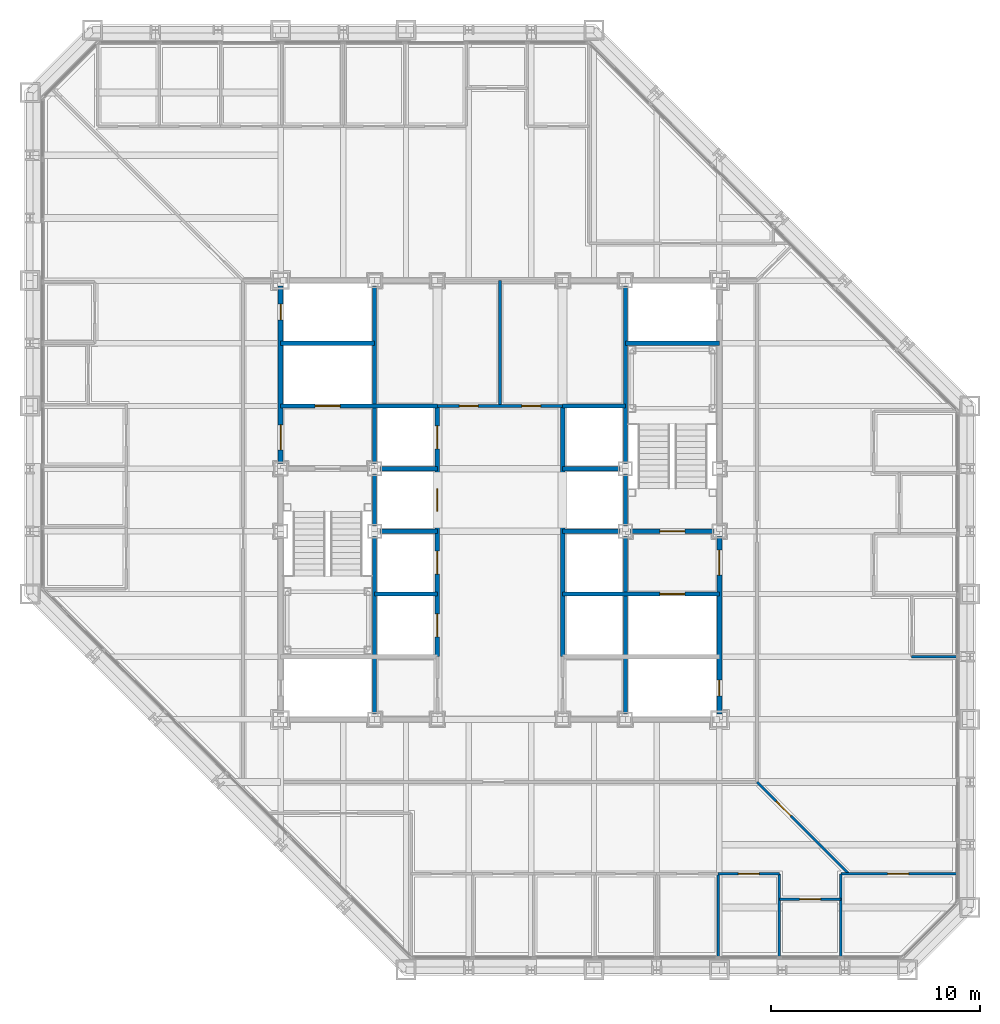
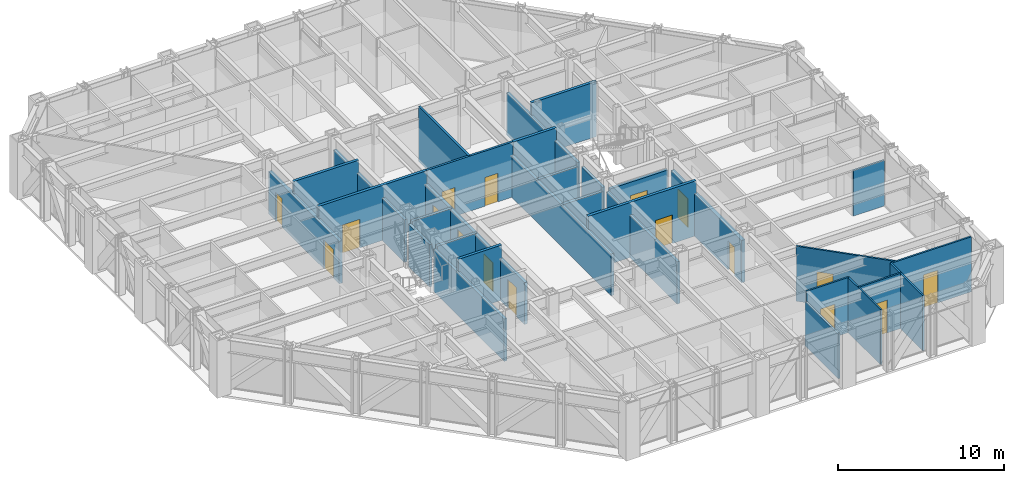
# One storey, part 11 of 17: 31 walls, 17 doors, 17 openings.
"""IFC4 building model written with IfcOpenShell, lengths in metres."""

from ifc_helpers import new_model, si_unit, direction, frame, frame_2d, origin, place, context, subcontext, project, spatial, rectangle, extrude, material, layer, layer_set, type_object, element, fill, save


model = new_model("IFC4")

# Units and contexts
model_context = context("Model", 3, precision=1e-05, world=origin(), true_north=direction((0.0, 1.0)))
body_context = subcontext(model_context, "Body", "Model", "MODEL_VIEW")
ifc_project = project(units=[si_unit("LENGTHUNIT", "METRE"), si_unit("AREAUNIT", "SQUARE_METRE"), si_unit("VOLUMEUNIT", "CUBIC_METRE"), si_unit("PLANEANGLEUNIT", "RADIAN"), si_unit("MASSUNIT", "GRAM", prefix="KILO")], contexts=[model_context])

# Site, building, storey
site_placement = place(None, origin())
site = spatial("IfcSite", under=ifc_project, at=site_placement, CompositionType="ELEMENT")
building_placement = place(site_placement, origin())
building = spatial("IfcBuilding", under=site, at=building_placement, Name="Chuquiago Exchange Tower", CompositionType="ELEMENT")
storey_placement = place(building_placement, frame((0.0, 0.0, 136.199951171875)))
storey = spatial("IfcBuildingStorey", under=building, at=storey_placement, Name="L29", CompositionType="ELEMENT", Elevation=136.199951171875)

# Wall, openings, doors
ifc_material_1 = material(Name="Concrete masonry, fully grouted", Category="masonry")
ifc_layer_1 = layer(ifc_material_1, 0.25)
ifc_layer_set_1 = layer_set([ifc_layer_1], Name="W1 core wall 250")
wall_type_1 = type_object("IfcWallType", Name="W1 core wall 250", PredefinedType="SOLIDWALL", material=ifc_layer_set_1)
wall_1_placement = place(storey_placement, frame((12.0, 24.25, 0.0), z_axis=(0.0, 0.0, 1.0), x_axis=(0.0, 1.0, 0.0)))
wall_1 = element("IfcWall", 1, at=wall_1_placement, inside=storey, type_object=wall_type_1, Name="CW-L29-00-2", PredefinedType="SOLIDWALL", context=body_context, shape_type="SweptSolid", body=[
    extrude(rectangle(XDim=8.5, YDim=0.25, at=frame_2d((4.25, 0.0))), origin(), (0.0, 0.0, 1.0), 3.113037109375),
])
opening_1_placement = place(wall_1_placement, frame((0.64990234375, 0.0, 0.0)))
opening_1 = element("IfcOpeningElement", 2, at=opening_1_placement, cuts=wall_1, Name="Opening L29-002", PredefinedType="OPENING", context=body_context, shape_type="SweptSolid", body=[
    extrude(rectangle(XDim=1.199951171875, YDim=2.10009765625, at=frame_2d((0.60009765625, 1.050048828125))), frame((0.0, 0.135009765625, 0.0), z_axis=(0.0, -1.0, 0.0), x_axis=(1.0, 0.0, 0.0)), (0.0, 0.0, 1.0), 0.27001953125),
])
opening_2_placement = place(wall_1_placement, frame((6.875, 0.0, 0.0)))
opening_2 = element("IfcOpeningElement", 3, at=opening_2_placement, cuts=wall_1, Name="Opening L29-008", PredefinedType="OPENING", context=body_context, shape_type="SweptSolid", body=[
    extrude(rectangle(XDim=0.75, YDim=2.10009765625, at=frame_2d((0.375, 1.050048828125))), frame((0.0, 0.135009765625, 0.0), z_axis=(0.0, -1.0, 0.0), x_axis=(1.0, 0.0, 0.0)), (0.0, 0.0, 1.0), 0.27001953125),
])
ifc_material_2 = material(Name="Steel door, painted", Category="steel")
door_type_1 = type_object("IfcDoorType", Name="D5 firefighting lobby door 1200x2100", OperationType="SINGLE_SWING_LEFT", PredefinedType="DOOR", material=ifc_material_2)
door_1_placement = place(opening_1_placement, frame((1.199951171875, 0.0, 0.0), z_axis=(0.0, 0.0, 1.0), x_axis=(-1.0, 0.0, 0.0)))
door_1 = element("IfcDoor", 4, at=door_1_placement, inside=storey, type_object=door_type_1, Name="Firefighting lobby 1 door", OperationType="SINGLE_SWING_RIGHT", OverallHeight=2.10009765625, OverallWidth=1.199951171875, PredefinedType="DOOR", context=body_context, shape_type="SweptSolid", body=[
    extrude(rectangle(XDim=1.199951171875, YDim=2.10009765625, at=frame_2d((0.60009765625, 1.050048828125))), frame((0.0, 0.02490234375, 0.0), z_axis=(0.0, -1.0, 0.0), x_axis=(1.0, 0.0, 0.0)), (0.0, 0.0, 1.0), 0.050048828125),
])
fill(opening_1, door_1)
ifc_material_3 = material(Name="Steel door, painted", Category="steel")
door_type_2 = type_object("IfcDoorType", Name="D6 riser access door 750x2100", OperationType="SINGLE_SWING_LEFT", PredefinedType="DOOR", material=ifc_material_3)
door_2_placement = place(opening_2_placement, frame((0.75, 0.0, 0.0), z_axis=(0.0, 0.0, 1.0), x_axis=(-1.0, 0.0, 0.0)))
door_2 = element("IfcDoor", 5, at=door_2_placement, inside=storey, type_object=door_type_2, Name="Riser RW2 door", OperationType="SINGLE_SWING_LEFT", OverallHeight=2.10009765625, OverallWidth=0.75, PredefinedType="DOOR", context=body_context, shape_type="SweptSolid", body=[
    extrude(rectangle(XDim=0.75, YDim=2.10009765625, at=frame_2d((0.375, 1.050048828125))), frame((0.0, 0.02490234375, 0.0), z_axis=(0.0, -1.0, 0.0), x_axis=(1.0, 0.0, 0.0)), (0.0, 0.0, 1.0), 0.050048828125),
])
fill(opening_2, door_2)

wall_2_placement = place(storey_placement, frame((33.0, 12.25, 0.0), z_axis=(0.0, 0.0, 1.0), x_axis=(0.0, 1.0, 0.0)))
wall_2 = element("IfcWall", 6, at=wall_2_placement, inside=storey, type_object=wall_type_1, Name="CW-L29-25-0", PredefinedType="SOLIDWALL", context=body_context, shape_type="SweptSolid", body=[
    extrude(rectangle(XDim=8.5, YDim=0.25, at=frame_2d((4.25, 0.0))), origin(), (0.0, 0.0, 1.0), 3.113037109375),
])
opening_3_placement = place(wall_2_placement, frame((6.64990234375, 0.0, 0.0)))
opening_3 = element("IfcOpeningElement", 7, at=opening_3_placement, cuts=wall_2, Name="Opening L29-004", PredefinedType="OPENING", context=body_context, shape_type="SweptSolid", body=[
    extrude(rectangle(XDim=1.199951171875, YDim=2.10009765625, at=frame_2d((0.60009765625, 1.050048828125))), frame((0.0, 0.135009765625, 0.0), z_axis=(0.0, -1.0, 0.0), x_axis=(1.0, 0.0, 0.0)), (0.0, 0.0, 1.0), 0.27001953125),
])
opening_4_placement = place(wall_2_placement, frame((0.875, 0.0, 0.0)))
opening_4 = element("IfcOpeningElement", 8, at=opening_4_placement, cuts=wall_2, Name="Opening L29-009", PredefinedType="OPENING", context=body_context, shape_type="SweptSolid", body=[
    extrude(rectangle(XDim=0.75, YDim=2.10009765625, at=frame_2d((0.375, 1.050048828125))), frame((0.0, 0.135009765625, 0.0), z_axis=(0.0, -1.0, 0.0), x_axis=(1.0, 0.0, 0.0)), (0.0, 0.0, 1.0), 0.27001953125),
])
door_3_placement = place(opening_3_placement, origin())
door_3 = element("IfcDoor", 9, at=door_3_placement, inside=storey, type_object=door_type_1, Name="Firefighting lobby 2 door", OperationType="SINGLE_SWING_RIGHT", OverallHeight=2.10009765625, OverallWidth=1.199951171875, PredefinedType="DOOR", context=body_context, shape_type="SweptSolid", body=[
    extrude(rectangle(XDim=1.199951171875, YDim=2.10009765625, at=frame_2d((0.60009765625, 1.050048828125))), frame((0.0, 0.02490234375, 0.0), z_axis=(0.0, -1.0, 0.0), x_axis=(1.0, 0.0, 0.0)), (0.0, 0.0, 1.0), 0.050048828125),
])
fill(opening_3, door_3)
door_4_placement = place(opening_4_placement, origin())
door_4 = element("IfcDoor", 10, at=door_4_placement, inside=storey, type_object=door_type_2, Name="Riser RE1 door", OperationType="SINGLE_SWING_LEFT", OverallHeight=2.10009765625, OverallWidth=0.75, PredefinedType="DOOR", context=body_context, shape_type="SweptSolid", body=[
    extrude(rectangle(XDim=0.75, YDim=2.10009765625, at=frame_2d((0.375, 1.050048828125))), frame((0.0, 0.02490234375, 0.0), z_axis=(0.0, -1.0, 0.0), x_axis=(1.0, 0.0, 0.0)), (0.0, 0.0, 1.0), 0.050048828125),
])
fill(opening_4, door_4)

# Walls
ifc_material_4 = material(Name="Concrete masonry, fully grouted", Category="masonry")
ifc_layer_2 = layer(ifc_material_4, 0.199951171875)
ifc_layer_set_2 = layer_set([ifc_layer_2], Name="W2 shaft wall 200")
wall_type_2 = type_object("IfcWallType", Name="W2 shaft wall 200", PredefinedType="SOLIDWALL", material=ifc_layer_set_2)
for number, where, z_axis, x_axis, name in (
    (11, (16.75, 24.0, 0.0), (0.0, 0.0, 1.0), (1.0, 0.0, 0.0), "CW-L29-05-1"),
    (12, (25.5, 24.0, 0.0), (0.0, 0.0, 1.0), (1.0, 0.0, 0.0), "CW-L29-06-0"),
):
    element("IfcWall", number, at=place(storey_placement, frame(where, z_axis=z_axis, x_axis=x_axis)), inside=storey, type_object=wall_type_2, Name=name, PredefinedType="SOLIDWALL", context=body_context, shape_type="SweptSolid", body=[
        extrude(rectangle(XDim=2.75, YDim=0.199951171875, at=frame_2d((1.375, 0.0))), origin(), (0.0, 0.0, 1.0), 3.090087890625),
    ])

# Wall, opening, door
wall_3_placement = place(storey_placement, frame((12.0, 27.0, 0.0), z_axis=(0.0, 0.0, 1.0), x_axis=(1.0, 0.0, 0.0)))
wall_3 = element("IfcWall", 13, at=wall_3_placement, inside=storey, type_object=wall_type_2, Name="CW-L29-07-0", PredefinedType="SOLIDWALL", context=body_context, shape_type="SweptSolid", body=[
    extrude(rectangle(XDim=7.5, YDim=0.199951171875, at=frame_2d((3.75, 0.0))), origin(), (0.0, 0.0, 1.0), 4.0400390625),
])
opening_5_placement = place(wall_3_placement, frame((1.64990234375, 0.0, 0.0)))
opening_5 = element("IfcOpeningElement", 14, at=opening_5_placement, cuts=wall_3, Name="Opening L29-005", PredefinedType="OPENING", context=body_context, shape_type="SweptSolid", body=[
    extrude(rectangle(XDim=1.199951171875, YDim=2.10009765625, at=frame_2d((0.60009765625, 1.050048828125))), frame((0.0, 0.10986328125, 0.0), z_axis=(0.0, -1.0, 0.0), x_axis=(1.0, 0.0, 0.0)), (0.0, 0.0, 1.0), 0.219970703125),
])
ifc_material_5 = material(Name="Stainless steel lift landing door", Category="steel")
door_type_3 = type_object("IfcDoorType", Name="LD2 firefighting lift landing door 1200x2100", OperationType="DOUBLE_DOOR_SLIDING", PredefinedType="DOOR", material=ifc_material_5)
door_5_placement = place(opening_5_placement, origin())
door_5 = element("IfcDoor", 15, at=door_5_placement, inside=storey, type_object=door_type_3, Name="Firefighting lift FL1 landing door", OperationType="DOUBLE_DOOR_SLIDING", OverallHeight=2.10009765625, OverallWidth=1.199951171875, PredefinedType="DOOR", context=body_context, shape_type="SweptSolid", body=[
    extrude(rectangle(XDim=1.199951171875, YDim=2.10009765625, at=frame_2d((0.60009765625, 1.050048828125))), frame((0.0, 0.02490234375, 0.0), z_axis=(0.0, -1.0, 0.0), x_axis=(1.0, 0.0, 0.0)), (0.0, 0.0, 1.0), 0.050048828125),
])
fill(opening_5, door_5)

# Walls
wall_4_placement = place(storey_placement, frame((25.5, 27.0, 0.0), z_axis=(0.0, 0.0, 1.0), x_axis=(1.0, 0.0, 0.0)))
element("IfcWall", 16, at=wall_4_placement, inside=storey, type_object=wall_type_2, Name="CW-L29-08-0", PredefinedType="SOLIDWALL", context=body_context, shape_type="SweptSolid", body=[
    extrude(rectangle(XDim=3.0, YDim=0.199951171875, at=frame_2d((1.5, 0.0))), origin(), (0.0, 0.0, 1.0), 4.0400390625),
])
for number, where, z_axis, x_axis, name in (
    (17, (12.0, 30.0, 0.0), (0.0, 0.0, 1.0), (1.0, 0.0, 0.0), "CW-L29-09-0"),
    (18, (28.5, 30.0, 0.0), (0.0, 0.0, 1.0), (1.0, 0.0, 0.0), "CW-L29-10-0"),
):
    element("IfcWall", number, at=place(storey_placement, frame(where, z_axis=z_axis, x_axis=x_axis)), inside=storey, type_object=wall_type_2, Name=name, PredefinedType="SOLIDWALL", context=body_context, shape_type="SweptSolid", body=[
        extrude(rectangle(XDim=4.5, YDim=0.199951171875, at=frame_2d((2.25, 0.0))), origin(), (0.0, 0.0, 1.0), 4.0400390625),
    ])
wall_5_placement = place(storey_placement, frame((16.5, 12.25, 0.0), z_axis=(0.0, 0.0, 1.0), x_axis=(0.0, 1.0, 0.0)))
element("IfcWall", 19, at=wall_5_placement, inside=storey, type_object=wall_type_2, Name="CW-L29-13-0", PredefinedType="SOLIDWALL", context=body_context, shape_type="SweptSolid", body=[
    extrude(rectangle(XDim=8.5, YDim=0.199951171875, at=frame_2d((4.25, 0.0))), origin(), (0.0, 0.0, 1.0), 3.113037109375),
])
wall_6_placement = place(storey_placement, frame((16.5, 21.25, 0.0), z_axis=(0.0, 0.0, 1.0), x_axis=(0.0, 1.0, 0.0)))
element("IfcWall", 20, at=wall_6_placement, inside=storey, type_object=wall_type_2, Name="CW-L29-13-1", PredefinedType="SOLIDWALL", context=body_context, shape_type="SweptSolid", body=[
    extrude(rectangle(XDim=2.5, YDim=0.199951171875, at=frame_2d((1.25, 0.0))), origin(), (0.0, 0.0, 1.0), 3.113037109375),
])
wall_7_placement = place(storey_placement, frame((16.5, 24.25, 0.0), z_axis=(0.0, 0.0, 1.0), x_axis=(0.0, 1.0, 0.0)))
element("IfcWall", 21, at=wall_7_placement, inside=storey, type_object=wall_type_2, Name="CW-L29-13-2", PredefinedType="SOLIDWALL", context=body_context, shape_type="SweptSolid", body=[
    extrude(rectangle(XDim=8.5, YDim=0.199951171875, at=frame_2d((4.25, 0.0))), origin(), (0.0, 0.0, 1.0), 3.113037109375),
])
wall_8_placement = place(storey_placement, frame((16.5, 18.0, 0.0), z_axis=(0.0, 0.0, 1.0), x_axis=(1.0, 0.0, 0.0)))
element("IfcWall", 22, at=wall_8_placement, inside=storey, type_object=wall_type_2, Name="CW-L29-14-0", PredefinedType="SOLIDWALL", context=body_context, shape_type="SweptSolid", body=[
    extrude(rectangle(XDim=3.0, YDim=0.199951171875, at=frame_2d((1.5, 0.0))), origin(), (0.0, 0.0, 1.0), 4.0400390625),
])

# Wall, opening, door
wall_9_placement = place(storey_placement, frame((25.5, 18.0, 0.0), z_axis=(0.0, 0.0, 1.0), x_axis=(1.0, 0.0, 0.0)))
wall_9 = element("IfcWall", 23, at=wall_9_placement, inside=storey, type_object=wall_type_2, Name="CW-L29-15-0", PredefinedType="SOLIDWALL", context=body_context, shape_type="SweptSolid", body=[
    extrude(rectangle(XDim=7.5, YDim=0.199951171875, at=frame_2d((3.75, 0.0))), origin(), (0.0, 0.0, 1.0), 4.0400390625),
])
opening_6_placement = place(wall_9_placement, frame((4.64990234375, 0.0, 0.0)))
opening_6 = element("IfcOpeningElement", 24, at=opening_6_placement, cuts=wall_9, Name="Opening L29-006", PredefinedType="OPENING", context=body_context, shape_type="SweptSolid", body=[
    extrude(rectangle(XDim=1.199951171875, YDim=2.10009765625, at=frame_2d((0.60009765625, 1.050048828125))), frame((0.0, 0.10986328125, 0.0), z_axis=(0.0, -1.0, 0.0), x_axis=(1.0, 0.0, 0.0)), (0.0, 0.0, 1.0), 0.219970703125),
])
door_6_placement = place(opening_6_placement, origin())
door_6 = element("IfcDoor", 25, at=door_6_placement, inside=storey, type_object=door_type_3, Name="Firefighting lift FL2 landing door", OperationType="DOUBLE_DOOR_SLIDING", OverallHeight=2.10009765625, OverallWidth=1.199951171875, PredefinedType="DOOR", context=body_context, shape_type="SweptSolid", body=[
    extrude(rectangle(XDim=1.199951171875, YDim=2.10009765625, at=frame_2d((0.60009765625, 1.050048828125))), frame((0.0, 0.02490234375, 0.0), z_axis=(0.0, -1.0, 0.0), x_axis=(1.0, 0.0, 0.0)), (0.0, 0.0, 1.0), 0.050048828125),
])
fill(opening_6, door_6)

# Walls
for number, where, z_axis, x_axis, name in (
    (26, (16.75, 21.0, 0.0), (0.0, 0.0, 1.0), (1.0, 0.0, 0.0), "CW-L29-16-0"),
    (27, (25.5, 21.0, 0.0), (0.0, 0.0, 1.0), (1.0, 0.0, 0.0), "CW-L29-17-0"),
):
    element("IfcWall", number, at=place(storey_placement, frame(where, z_axis=z_axis, x_axis=x_axis)), inside=storey, type_object=wall_type_2, Name=name, PredefinedType="SOLIDWALL", context=body_context, shape_type="SweptSolid", body=[
        extrude(rectangle(XDim=2.75, YDim=0.199951171875, at=frame_2d((1.375, 0.0))), origin(), (0.0, 0.0, 1.0), 3.090087890625),
    ])

# Wall, opening, door
wall_10_placement = place(storey_placement, frame((28.75, 21.0, 0.0), z_axis=(0.0, 0.0, 1.0), x_axis=(1.0, 0.0, 0.0)))
wall_10 = element("IfcWall", 28, at=wall_10_placement, inside=storey, type_object=wall_type_2, Name="CW-L29-17-1", PredefinedType="SOLIDWALL", context=body_context, shape_type="SweptSolid", body=[
    extrude(rectangle(XDim=4.0, YDim=0.199951171875, at=frame_2d((2.0, 0.0))), origin(), (0.0, 0.0, 1.0), 3.090087890625),
])
opening_7_placement = place(wall_10_placement, frame((1.39990234375, 0.0, 0.0)))
opening_7 = element("IfcOpeningElement", 29, at=opening_7_placement, cuts=wall_10, Name="Opening L29-003", PredefinedType="OPENING", context=body_context, shape_type="SweptSolid", body=[
    extrude(rectangle(XDim=1.199951171875, YDim=2.10009765625, at=frame_2d((0.60009765625, 1.050048828125))), frame((0.0, 0.10986328125, 0.0), z_axis=(0.0, -1.0, 0.0), x_axis=(1.0, 0.0, 0.0)), (0.0, 0.0, 1.0), 0.219970703125),
])
ifc_material_6 = material(Name="Steel door, painted", Category="steel")
door_type_4 = type_object("IfcDoorType", Name="D4 stair door 1200x2100", OperationType="SINGLE_SWING_LEFT", PredefinedType="DOOR", material=ifc_material_6)
door_7_placement = place(opening_7_placement, origin())
door_7 = element("IfcDoor", 30, at=door_7_placement, inside=storey, type_object=door_type_4, Name="Stair ST2 door", OperationType="SINGLE_SWING_LEFT", OverallHeight=2.10009765625, OverallWidth=1.199951171875, PredefinedType="DOOR", context=body_context, shape_type="SweptSolid", body=[
    extrude(rectangle(XDim=1.199951171875, YDim=2.10009765625, at=frame_2d((0.60009765625, 1.050048828125))), frame((0.0, 0.02490234375, 0.0), z_axis=(0.0, -1.0, 0.0), x_axis=(1.0, 0.0, 0.0)), (0.0, 0.0, 1.0), 0.050048828125),
])
fill(opening_7, door_7)

# Wall, openings, doors
wall_11_placement = place(storey_placement, frame((19.5, 15.0, 0.0), z_axis=(0.0, 0.0, 1.0), x_axis=(0.0, 1.0, 0.0)))
wall_11 = element("IfcWall", 31, at=wall_11_placement, inside=storey, type_object=wall_type_2, Name="CW-L29-19-0", PredefinedType="SOLIDWALL", context=body_context, shape_type="SweptSolid", body=[
    extrude(rectangle(XDim=12.0, YDim=0.199951171875, at=frame_2d((6.0, 0.0))), origin(), (0.0, 0.0, 1.0), 3.064697265625),
])
opening_8_placement = place(wall_11_placement, frame((0.949951171875, 0.0, 0.0)))
opening_8 = element("IfcOpeningElement", 32, at=opening_8_placement, cuts=wall_11, Name="Opening L29-015", PredefinedType="OPENING", context=body_context, shape_type="SweptSolid", body=[
    extrude(rectangle(XDim=1.10009765625, YDim=2.10009765625, at=frame_2d((0.550048828125, 1.050048828125))), frame((0.0, 0.10986328125, 0.0), z_axis=(0.0, -1.0, 0.0), x_axis=(1.0, 0.0, 0.0)), (0.0, 0.0, 1.0), 0.219970703125),
])
opening_9_placement = place(wall_11_placement, frame((3.949951171875, 0.0, 0.0)))
opening_9 = element("IfcOpeningElement", 33, at=opening_9_placement, cuts=wall_11, Name="Opening L29-016", PredefinedType="OPENING", context=body_context, shape_type="SweptSolid", body=[
    extrude(rectangle(XDim=1.10009765625, YDim=2.10009765625, at=frame_2d((0.550048828125, 1.050048828125))), frame((0.0, 0.10986328125, 0.0), z_axis=(0.0, -1.0, 0.0), x_axis=(1.0, 0.0, 0.0)), (0.0, 0.0, 1.0), 0.219970703125),
])
opening_10_placement = place(wall_11_placement, frame((6.949951171875, 0.0, 0.0)))
opening_10 = element("IfcOpeningElement", 34, at=opening_10_placement, cuts=wall_11, Name="Opening L29-017", PredefinedType="OPENING", context=body_context, shape_type="SweptSolid", body=[
    extrude(rectangle(XDim=1.10009765625, YDim=2.10009765625, at=frame_2d((0.550048828125, 1.050048828125))), frame((0.0, 0.10986328125, 0.0), z_axis=(0.0, -1.0, 0.0), x_axis=(1.0, 0.0, 0.0)), (0.0, 0.0, 1.0), 0.219970703125),
])
opening_11_placement = place(wall_11_placement, frame((9.949951171875, 0.0, 0.0)))
opening_11 = element("IfcOpeningElement", 35, at=opening_11_placement, cuts=wall_11, Name="Opening L29-018", PredefinedType="OPENING", context=body_context, shape_type="SweptSolid", body=[
    extrude(rectangle(XDim=1.10009765625, YDim=2.10009765625, at=frame_2d((0.550048828125, 1.050048828125))), frame((0.0, 0.10986328125, 0.0), z_axis=(0.0, -1.0, 0.0), x_axis=(1.0, 0.0, 0.0)), (0.0, 0.0, 1.0), 0.219970703125),
])
ifc_material_7 = material(Name="Stainless steel lift landing door", Category="steel")
door_type_5 = type_object("IfcDoorType", Name="LD1 lift landing door 1100x2100", OperationType="DOUBLE_DOOR_SLIDING", PredefinedType="DOOR", material=ifc_material_7)
door_8_placement = place(opening_8_placement, origin())
door_8 = element("IfcDoor", 36, at=door_8_placement, inside=storey, type_object=door_type_5, Name="Lift LB1 landing door", OperationType="DOUBLE_DOOR_SLIDING", OverallHeight=2.10009765625, OverallWidth=1.10009765625, PredefinedType="DOOR", context=body_context, shape_type="SweptSolid", body=[
    extrude(rectangle(XDim=1.10009765625, YDim=2.10009765625, at=frame_2d((0.550048828125, 1.050048828125))), frame((0.0, 0.02490234375, 0.0), z_axis=(0.0, -1.0, 0.0), x_axis=(1.0, 0.0, 0.0)), (0.0, 0.0, 1.0), 0.050048828125),
])
fill(opening_8, door_8)
door_9_placement = place(opening_9_placement, origin())
door_9 = element("IfcDoor", 37, at=door_9_placement, inside=storey, type_object=door_type_5, Name="Lift LB2 landing door", OperationType="DOUBLE_DOOR_SLIDING", OverallHeight=2.10009765625, OverallWidth=1.10009765625, PredefinedType="DOOR", context=body_context, shape_type="SweptSolid", body=[
    extrude(rectangle(XDim=1.10009765625, YDim=2.10009765625, at=frame_2d((0.550048828125, 1.050048828125))), frame((0.0, 0.02490234375, 0.0), z_axis=(0.0, -1.0, 0.0), x_axis=(1.0, 0.0, 0.0)), (0.0, 0.0, 1.0), 0.050048828125),
])
fill(opening_9, door_9)
door_10_placement = place(opening_10_placement, origin())
door_10 = element("IfcDoor", 38, at=door_10_placement, inside=storey, type_object=door_type_5, Name="Lift LB3 landing door", OperationType="DOUBLE_DOOR_SLIDING", OverallHeight=2.10009765625, OverallWidth=1.10009765625, PredefinedType="DOOR", context=body_context, shape_type="SweptSolid", body=[
    extrude(rectangle(XDim=1.10009765625, YDim=2.10009765625, at=frame_2d((0.550048828125, 1.050048828125))), frame((0.0, 0.02490234375, 0.0), z_axis=(0.0, -1.0, 0.0), x_axis=(1.0, 0.0, 0.0)), (0.0, 0.0, 1.0), 0.050048828125),
])
fill(opening_10, door_10)
door_11_placement = place(opening_11_placement, origin())
door_11 = element("IfcDoor", 39, at=door_11_placement, inside=storey, type_object=door_type_5, Name="Lift LB4 landing door", OperationType="DOUBLE_DOOR_SLIDING", OverallHeight=2.10009765625, OverallWidth=1.10009765625, PredefinedType="DOOR", context=body_context, shape_type="SweptSolid", body=[
    extrude(rectangle(XDim=1.10009765625, YDim=2.10009765625, at=frame_2d((0.550048828125, 1.050048828125))), frame((0.0, 0.02490234375, 0.0), z_axis=(0.0, -1.0, 0.0), x_axis=(1.0, 0.0, 0.0)), (0.0, 0.0, 1.0), 0.050048828125),
])
fill(opening_11, door_11)

# Walls
wall_12_placement = place(storey_placement, frame((25.5, 15.0, 0.0), z_axis=(0.0, 0.0, 1.0), x_axis=(0.0, 1.0, 0.0)))
element("IfcWall", 40, at=wall_12_placement, inside=storey, type_object=wall_type_2, Name="CW-L29-22-0", PredefinedType="SOLIDWALL", context=body_context, shape_type="SweptSolid", body=[
    extrude(rectangle(XDim=12.0, YDim=0.199951171875, at=frame_2d((6.0, 0.0))), origin(), (0.0, 0.0, 1.0), 3.064697265625),
])
wall_13_placement = place(storey_placement, frame((28.5, 12.25, 0.0), z_axis=(0.0, 0.0, 1.0), x_axis=(0.0, 1.0, 0.0)))
element("IfcWall", 41, at=wall_13_placement, inside=storey, type_object=wall_type_2, Name="CW-L29-24-0", PredefinedType="SOLIDWALL", context=body_context, shape_type="SweptSolid", body=[
    extrude(rectangle(XDim=8.5, YDim=0.199951171875, at=frame_2d((4.25, 0.0))), origin(), (0.0, 0.0, 1.0), 3.113037109375),
])
wall_14_placement = place(storey_placement, frame((28.5, 21.25, 0.0), z_axis=(0.0, 0.0, 1.0), x_axis=(0.0, 1.0, 0.0)))
element("IfcWall", 42, at=wall_14_placement, inside=storey, type_object=wall_type_2, Name="CW-L29-24-1", PredefinedType="SOLIDWALL", context=body_context, shape_type="SweptSolid", body=[
    extrude(rectangle(XDim=2.5, YDim=0.199951171875, at=frame_2d((1.25, 0.0))), origin(), (0.0, 0.0, 1.0), 3.113037109375),
])
wall_15_placement = place(storey_placement, frame((28.5, 24.25, 0.0), z_axis=(0.0, 0.0, 1.0), x_axis=(0.0, 1.0, 0.0)))
element("IfcWall", 43, at=wall_15_placement, inside=storey, type_object=wall_type_2, Name="CW-L29-24-2", PredefinedType="SOLIDWALL", context=body_context, shape_type="SweptSolid", body=[
    extrude(rectangle(XDim=8.5, YDim=0.199951171875, at=frame_2d((4.25, 0.0))), origin(), (0.0, 0.0, 1.0), 3.113037109375),
])

# Wall, openings, doors
ifc_material_8 = material(Name="Gypsum board on steel studs", Category="steel")
ifc_layer_3 = layer(ifc_material_8, 0.14990234375)
ifc_layer_set_3 = layer_set([ifc_layer_3], Name="W3 core partition 150")
wall_type_3 = type_object("IfcWallType", Name="W3 core partition 150", PredefinedType="PARTITIONING", material=ifc_layer_set_3)
wall_16_placement = place(storey_placement, frame((19.5, 27.0, 0.0), z_axis=(0.0, 0.0, 1.0), x_axis=(1.0, 0.0, 0.0)))
wall_16 = element("IfcWall", 44, at=wall_16_placement, inside=storey, type_object=wall_type_3, Name="CW-L29-TF", PredefinedType="PARTITIONING", context=body_context, shape_type="SweptSolid", body=[
    extrude(rectangle(XDim=6.0, YDim=0.14990234375, at=frame_2d((3.0, 0.0))), origin(), (0.0, 0.0, 1.0), 4.0400390625),
])
opening_12_placement = place(wall_16_placement, frame((1.050048828125, 0.0, 0.0)))
opening_12 = element("IfcOpeningElement", 45, at=opening_12_placement, cuts=wall_16, Name="Opening L29-011", PredefinedType="OPENING", context=body_context, shape_type="SweptSolid", body=[
    extrude(rectangle(XDim=0.89990234375, YDim=2.10009765625, at=frame_2d((0.449951171875, 1.050048828125))), frame((0.0, 0.0849609375, 0.0), z_axis=(0.0, -1.0, 0.0), x_axis=(1.0, 0.0, 0.0)), (0.0, 0.0, 1.0), 0.169921875),
])
opening_13_placement = place(wall_16_placement, frame((4.050048828125, 0.0, 0.0)))
opening_13 = element("IfcOpeningElement", 46, at=opening_13_placement, cuts=wall_16, Name="Opening L29-012", PredefinedType="OPENING", context=body_context, shape_type="SweptSolid", body=[
    extrude(rectangle(XDim=0.89990234375, YDim=2.10009765625, at=frame_2d((0.449951171875, 1.050048828125))), frame((0.0, 0.0849609375, 0.0), z_axis=(0.0, -1.0, 0.0), x_axis=(1.0, 0.0, 0.0)), (0.0, 0.0, 1.0), 0.169921875),
])
ifc_material_9 = material(Name="Timber door, laminate faced", Category="wood")
door_type_6 = type_object("IfcDoorType", Name="D7 toilet door 900x2100", OperationType="SINGLE_SWING_LEFT", PredefinedType="DOOR", material=ifc_material_9)
door_12_placement = place(opening_12_placement, origin())
door_12 = element("IfcDoor", 47, at=door_12_placement, inside=storey, type_object=door_type_6, Name="Male WC door", OperationType="SINGLE_SWING_RIGHT", OverallHeight=2.10009765625, OverallWidth=0.89990234375, PredefinedType="DOOR", context=body_context, shape_type="SweptSolid", body=[
    extrude(rectangle(XDim=0.89990234375, YDim=2.10009765625, at=frame_2d((0.449951171875, 1.050048828125))), frame((0.0, 0.02490234375, 0.0), z_axis=(0.0, -1.0, 0.0), x_axis=(1.0, 0.0, 0.0)), (0.0, 0.0, 1.0), 0.050048828125),
])
fill(opening_12, door_12)
door_13_placement = place(opening_13_placement, origin())
door_13 = element("IfcDoor", 48, at=door_13_placement, inside=storey, type_object=door_type_6, Name="Female WC door", OperationType="SINGLE_SWING_LEFT", OverallHeight=2.10009765625, OverallWidth=0.89990234375, PredefinedType="DOOR", context=body_context, shape_type="SweptSolid", body=[
    extrude(rectangle(XDim=0.89990234375, YDim=2.10009765625, at=frame_2d((0.449951171875, 1.050048828125))), frame((0.0, 0.02490234375, 0.0), z_axis=(0.0, -1.0, 0.0), x_axis=(1.0, 0.0, 0.0)), (0.0, 0.0, 1.0), 0.050048828125),
])
fill(opening_13, door_13)

# Walls
wall_17_placement = place(storey_placement, frame((22.5, 27.0, 0.0), z_axis=(0.0, 0.0, 1.0), x_axis=(0.0, 1.0, 0.0)))
element("IfcWall", 49, at=wall_17_placement, inside=storey, type_object=wall_type_3, Name="CW-L29-TM", PredefinedType="PARTITIONING", context=body_context, shape_type="SweptSolid", body=[
    extrude(rectangle(XDim=6.0, YDim=0.14990234375, at=frame_2d((3.0, 0.0))), origin(), (0.0, 0.0, 1.0), 4.0400390625),
])
ifc_material_10 = material(Name="Gypsum board on steel studs", Category="steel")
ifc_layer_4 = layer(ifc_material_10, 0.1201171875)
ifc_layer_set_4 = layer_set([ifc_layer_4], Name="W4 partition 120")
wall_type_4 = type_object("IfcWallType", Name="W4 partition 120", PredefinedType="PARTITIONING", material=ifc_layer_set_4)
wall_18_placement = place(storey_placement, frame((32.93798828125, 0.652587890625, 0.0), z_axis=(0.0, 0.0, 1.0), x_axis=(0.0, 1.0, 0.0)))
element("IfcWall", 50, at=wall_18_placement, inside=storey, type_object=wall_type_4, Name="PW-L29-S03294", PredefinedType="PARTITIONING", context=body_context, shape_type="SweptSolid", body=[
    extrude(rectangle(XDim=3.947509765625, YDim=0.1201171875, at=frame_2d((1.9736328125, 0.0))), origin(), (0.0, 0.0, 1.0), 3.2705078125),
])
for number, where, z_axis, x_axis, name in (
    (51, (35.875732421875, 0.652587890625, 0.0), (0.0, 0.0, 1.0), (0.0, 1.0, 0.0), "PW-L29-S03588"),
    (52, (38.813720703125, 0.652587890625, 0.0), (0.0, 0.0, 1.0), (0.0, 1.0, 0.0), "PW-L29-S03881"),
):
    element("IfcWall", number, at=place(storey_placement, frame(where, z_axis=z_axis, x_axis=x_axis)), inside=storey, type_object=wall_type_4, Name=name, PredefinedType="PARTITIONING", context=body_context, shape_type="SweptSolid", body=[
        extrude(rectangle(XDim=3.947509765625, YDim=0.1201171875, at=frame_2d((1.9736328125, 0.0))), origin(), (0.0, 0.0, 1.0), 4.0400390625),
    ])

# Wall, opening, door
wall_19_placement = place(storey_placement, frame((32.93798828125, 4.60009765625, 0.0), z_axis=(0.0, 0.0, 1.0), x_axis=(1.0, 0.0, 0.0)))
wall_19 = element("IfcWall", 53, at=wall_19_placement, inside=storey, type_object=wall_type_4, Name="PW-L29-SF03294", PredefinedType="PARTITIONING", context=body_context, shape_type="SweptSolid", body=[
    extrude(rectangle(XDim=2.937744140625, YDim=0.1201171875, at=frame_2d((1.46875, 0.0))), origin(), (0.0, 0.0, 1.0), 4.0400390625),
])
opening_14_placement = place(wall_19_placement, frame((0.968994140625, 0.0, 0.0)))
opening_14 = element("IfcOpeningElement", 54, at=opening_14_placement, cuts=wall_19, Name="Opening L29-025", PredefinedType="OPENING", context=body_context, shape_type="SweptSolid", body=[
    extrude(rectangle(XDim=1.0, YDim=2.39990234375, at=frame_2d((0.5, 1.199951171875))), frame((0.0, 0.070068359375, 0.0), z_axis=(0.0, -1.0, 0.0), x_axis=(1.0, 0.0, 0.0)), (0.0, 0.0, 1.0), 0.14013671875),
])
ifc_material_11 = material(Name="Timber door, laminate faced", Category="wood")
door_type_7 = type_object("IfcDoorType", Name="D9 room door 1000x2400", OperationType="SINGLE_SWING_LEFT", PredefinedType="DOOR", material=ifc_material_11)
door_14_placement = place(opening_14_placement, frame((1.0, 0.0, 0.0), z_axis=(0.0, 0.0, 1.0), x_axis=(-1.0, 0.0, 0.0)))
door_14 = element("IfcDoor", 55, at=door_14_placement, inside=storey, type_object=door_type_7, Name="Office door", OperationType="SINGLE_SWING_RIGHT", OverallHeight=2.39990234375, OverallWidth=1.0, PredefinedType="DOOR", context=body_context, shape_type="SweptSolid", body=[
    extrude(rectangle(XDim=1.0, YDim=2.39990234375, at=frame_2d((0.5, 1.199951171875))), frame((0.0, 0.02490234375, 0.0), z_axis=(0.0, -1.0, 0.0), x_axis=(1.0, 0.0, 0.0)), (0.0, 0.0, 1.0), 0.050048828125),
])
fill(opening_14, door_14)

wall_20_placement = place(storey_placement, frame((35.875732421875, 3.39990234375, 0.0), z_axis=(0.0, 0.0, 1.0), x_axis=(1.0, 0.0, 0.0)))
wall_20 = element("IfcWall", 56, at=wall_20_placement, inside=storey, type_object=wall_type_4, Name="PW-L29-SF03588", PredefinedType="PARTITIONING", context=body_context, shape_type="SweptSolid", body=[
    extrude(rectangle(XDim=2.93798828125, YDim=0.1201171875, at=frame_2d((1.468994140625, 0.0))), origin(), (0.0, 0.0, 1.0), 4.0400390625),
])
opening_15_placement = place(wall_20_placement, frame((0.968994140625, 0.0, 0.0)))
opening_15 = element("IfcOpeningElement", 57, at=opening_15_placement, cuts=wall_20, Name="Opening L29-026", PredefinedType="OPENING", context=body_context, shape_type="SweptSolid", body=[
    extrude(rectangle(XDim=1.0, YDim=2.39990234375, at=frame_2d((0.5, 1.199951171875))), frame((0.0, 0.070068359375, 0.0), z_axis=(0.0, -1.0, 0.0), x_axis=(1.0, 0.0, 0.0)), (0.0, 0.0, 1.0), 0.14013671875),
])
door_15_placement = place(opening_15_placement, frame((1.0, 0.0, 0.0), z_axis=(0.0, 0.0, 1.0), x_axis=(-1.0, 0.0, 0.0)))
door_15 = element("IfcDoor", 58, at=door_15_placement, inside=storey, type_object=door_type_7, Name="Pantry door", OperationType="SINGLE_SWING_RIGHT", OverallHeight=2.39990234375, OverallWidth=1.0, PredefinedType="DOOR", context=body_context, shape_type="SweptSolid", body=[
    extrude(rectangle(XDim=1.0, YDim=2.39990234375, at=frame_2d((0.5, 1.199951171875))), frame((0.0, 0.02490234375, 0.0), z_axis=(0.0, -1.0, 0.0), x_axis=(1.0, 0.0, 0.0)), (0.0, 0.0, 1.0), 0.050048828125),
])
fill(opening_15, door_15)

wall_21_placement = place(storey_placement, frame((38.813720703125, 4.60009765625, 0.0), z_axis=(0.0, 0.0, 1.0), x_axis=(1.0, 0.0, 0.0)))
wall_21 = element("IfcWall", 59, at=wall_21_placement, inside=storey, type_object=wall_type_4, Name="PW-L29-SF03881", PredefinedType="PARTITIONING", context=body_context, shape_type="SweptSolid", body=[
    extrude(rectangle(XDim=5.55419921875, YDim=0.1201171875, at=frame_2d((2.777099609375, 0.0))), origin(), (0.0, 0.0, 1.0), 4.0400390625),
])
opening_16_placement = place(wall_21_placement, frame((2.2431640625, 0.0, 0.0)))
opening_16 = element("IfcOpeningElement", 60, at=opening_16_placement, cuts=wall_21, Name="Opening L29-027", PredefinedType="OPENING", context=body_context, shape_type="SweptSolid", body=[
    extrude(rectangle(XDim=1.0, YDim=2.39990234375, at=frame_2d((0.5, 1.199951171875))), frame((0.0, 0.070068359375, 0.0), z_axis=(0.0, -1.0, 0.0), x_axis=(1.0, 0.0, 0.0)), (0.0, 0.0, 1.0), 0.14013671875),
])
ifc_material_12 = material(Name="Timber frame door, full height glazed panel", Category="wood")
door_type_8 = type_object("IfcDoorType", Name="D14 glazed meeting room door 1000x2400", OperationType="SINGLE_SWING_LEFT", PredefinedType="DOOR", material=ifc_material_12)
door_16_placement = place(opening_16_placement, frame((1.0, 0.0, 0.0), z_axis=(0.0, 0.0, 1.0), x_axis=(-1.0, 0.0, 0.0)))
door_16 = element("IfcDoor", 61, at=door_16_placement, inside=storey, type_object=door_type_8, Name="Meeting room door", OperationType="SINGLE_SWING_RIGHT", OverallHeight=2.39990234375, OverallWidth=1.0, PredefinedType="DOOR", context=body_context, shape_type="SweptSolid", body=[
    extrude(rectangle(XDim=1.0, YDim=2.39990234375, at=frame_2d((0.5, 1.199951171875))), frame((0.0, 0.02490234375, 0.0), z_axis=(0.0, -1.0, 0.0), x_axis=(1.0, 0.0, 0.0)), (0.0, 0.0, 1.0), 0.050048828125),
])
fill(opening_16, door_16)

# Wall
wall_22_placement = place(storey_placement, frame((44.347412109375, 15.0, 0.0), z_axis=(0.0, 0.0, 1.0), x_axis=(-1.0, 0.0, 0.0)))
element("IfcWall", 62, at=wall_22_placement, inside=storey, type_object=wall_type_4, Name="PW-L29-E01500", PredefinedType="PARTITIONING", context=body_context, shape_type="SweptSolid", body=[
    extrude(rectangle(XDim=2.1474609375, YDim=0.1201171875, at=frame_2d((1.07373046875, 0.0))), origin(), (0.0, 0.0, 1.0), 3.35693359375),
])

# Wall, opening, door
wall_23_placement = place(storey_placement, frame((34.800048828125, 9.0, 0.0), z_axis=(0.0, 0.0, 1.0), x_axis=(0.707106781187, -0.707106781187, 0.0)))
wall_23 = element("IfcWall", 63, at=wall_23_placement, inside=storey, type_object=wall_type_4, Name="PW-L29-QSE", PredefinedType="PARTITIONING", context=body_context, shape_type="SweptSolid", body=[
    extrude(rectangle(XDim=6.223876953125, YDim=0.1201171875, at=frame_2d((3.11181640625, 0.0))), origin(), (0.0, 0.0, 1.0), 4.0400390625),
])
opening_17_placement = place(wall_23_placement, frame((1.300048828125, 0.0, 0.0)))
opening_17 = element("IfcOpeningElement", 64, at=opening_17_placement, cuts=wall_23, Name="Opening L29-051", PredefinedType="OPENING", context=body_context, shape_type="SweptSolid", body=[
    extrude(rectangle(XDim=1.0, YDim=2.39990234375, at=frame_2d((0.5, 1.199951171875))), frame((0.0, 0.070068359375, 0.0), z_axis=(0.0, -1.0, 0.0), x_axis=(1.0, 0.0, 0.0)), (0.0, 0.0, 1.0), 0.14013671875),
])
door_17_placement = place(opening_17_placement, origin())
door_17 = element("IfcDoor", 65, at=door_17_placement, inside=storey, type_object=door_type_7, Name="Team area door", OperationType="SINGLE_SWING_LEFT", OverallHeight=2.39990234375, OverallWidth=1.0, PredefinedType="DOOR", context=body_context, shape_type="SweptSolid", body=[
    extrude(rectangle(XDim=1.0, YDim=2.39990234375, at=frame_2d((0.5, 1.199951171875))), frame((0.0, 0.02490234375, 0.0), z_axis=(0.0, -1.0, 0.0), x_axis=(1.0, 0.0, 0.0)), (0.0, 0.0, 1.0), 0.050048828125),
])
fill(opening_17, door_17)

save(model, "model.ifc")
